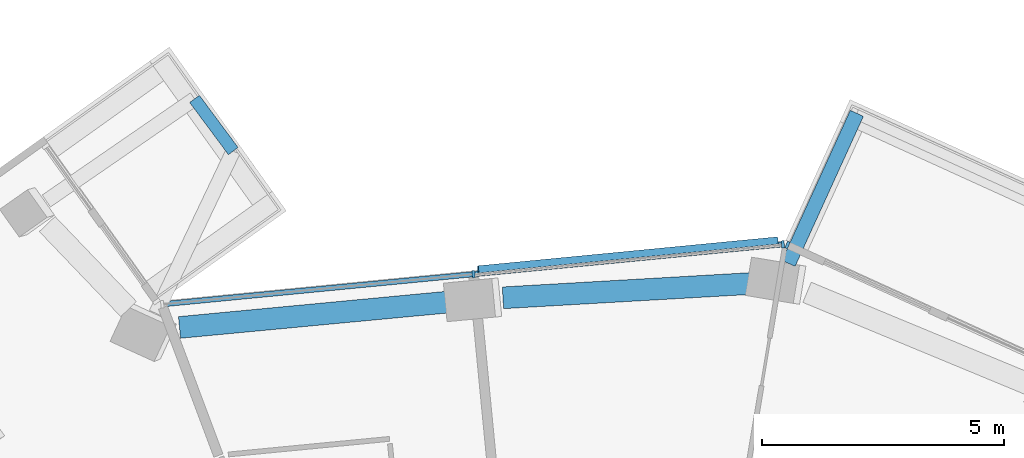
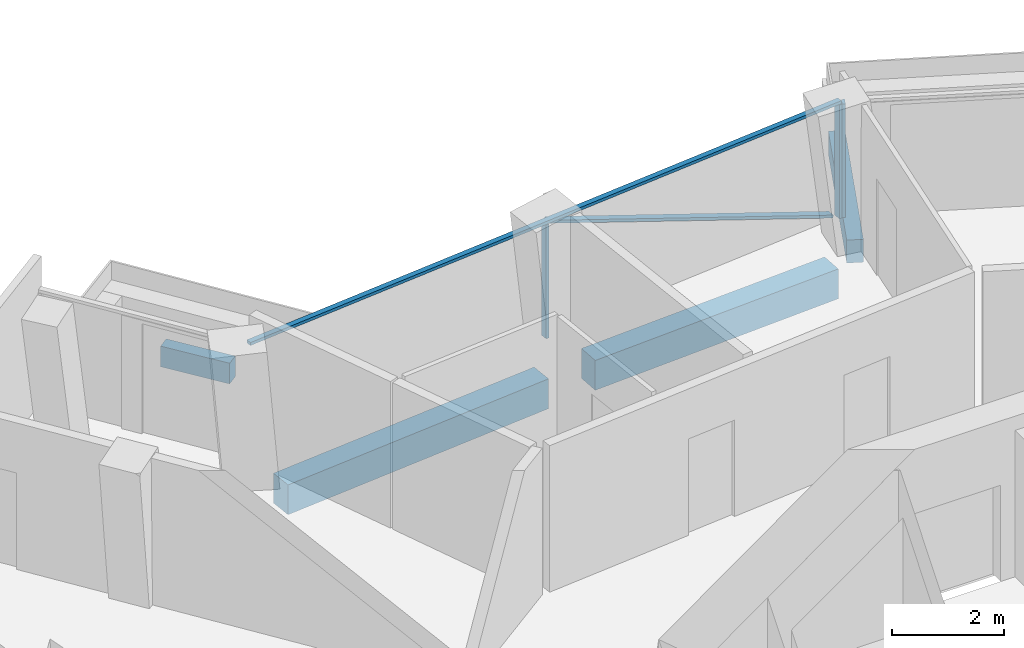
# One storey, part 7 of 22: 5 members, 4 beams, 2 elements without a shape of their own.
"""IFC4 building model written with IfcOpenShell, lengths in metres."""

from ifc_helpers import new_model, si_unit, direction, frame, origin, origin_2d, place, context, subcontext, project, spatial, rectangle, extrude, material, layer, layer_set, material_profile, profile_set, type_object, element, aggregate, save


model = new_model("IFC4")

# Units and contexts
model_context = context("Model", 3, precision=1e-05, world=origin(), true_north=direction((0.0, 1.0)))
body_context = subcontext(model_context, "Body", "Model", "MODEL_VIEW")
ifc_project = project(units=[si_unit("LENGTHUNIT", "METRE"), si_unit("AREAUNIT", "SQUARE_METRE"), si_unit("VOLUMEUNIT", "CUBIC_METRE"), si_unit("PLANEANGLEUNIT", "RADIAN"), si_unit("MASSUNIT", "GRAM", prefix="KILO")], contexts=[model_context])

# Site, building, storey
site_placement = place(None, origin())
site = spatial("IfcSite", under=ifc_project, at=site_placement, CompositionType="ELEMENT")
building_placement = place(site_placement, origin())
building = spatial("IfcBuilding", under=site, at=building_placement, Name="Verdalira Terraces Hotel", CompositionType="ELEMENT")
storey_placement = place(building_placement, frame((0.0, 0.0, 180.0)))
storey = spatial("IfcBuildingStorey", under=building, at=storey_placement, Name="L43", CompositionType="ELEMENT", Elevation=180.0)

# Beams
ifc_material_1 = material(Name="Concrete C40", Category="concrete")
ifc_material_profile_1 = material_profile(ifc_material_1, rectangle(XDim=0.300049, YDim=0.5, at=origin_2d()), Name="RC 300X500")
ifc_profile_set_1 = profile_set([ifc_material_profile_1], Name="Concrete C40")
beam_type_1 = type_object("IfcBeamType", Name="Balcony cantilever beam RC 300X500 C40", PredefinedType="BEAM", material=ifc_profile_set_1)
beam_1_placement = place(storey_placement, frame((4.19043, 24.294434, -0.560059), z_axis=(0.414369023, 0.910108957, 0.0), x_axis=(-0.910108957, 0.414369023, 0.0)))
element("IfcBeam", 1, at=beam_1_placement, inside=storey, type_object=beam_type_1, Name="Balcony cantilever beam R39-5", PredefinedType="BEAM", context=body_context, shape_type="SweptSolid", body=[
    extrude(rectangle(XDim=0.300049, YDim=0.5, at=origin_2d()), origin(), (0.0, 0.0, 1.0), 3.411377),
])
ifc_material_2 = material(Name="Concrete C40", Category="concrete")
ifc_material_profile_2 = material_profile(ifc_material_2, rectangle(XDim=0.25, YDim=0.449951, at=origin_2d()), Name="RC 250X450")
ifc_profile_set_2 = profile_set([ifc_material_profile_2], Name="Concrete C40")
beam_type_2 = type_object("IfcBeamType", Name="Balcony edge beam RC 250X450 C40", PredefinedType="BEAM", material=ifc_profile_set_2)
beam_2_placement = place(storey_placement, frame((-7.297607, 26.618164, -0.534912), z_axis=(-0.59606984, 0.802932591, 0.0), x_axis=(-0.802932591, -0.59606984, 0.0)))
element("IfcBeam", 2, at=beam_2_placement, inside=storey, type_object=beam_type_2, Name="Balcony edge beam R00-1", PredefinedType="BEAM", context=body_context, shape_type="SweptSolid", body=[
    extrude(rectangle(XDim=0.25, YDim=0.449951, at=origin_2d()), origin(), (0.0, 0.0, 1.0), 1.344238),
])

# Curtain wall, member
ifc_material_3 = material(Name="Clear glass", Category="glass")
ifc_layer = layer(ifc_material_3, 0.14990234375)
ifc_layer_set = layer_set([ifc_layer], Name="CW1 curtain wall")
curtain_wall_type = type_object("IfcCurtainWallType", Name="CW1 curtain wall", PredefinedType="NOTDEFINED", material=ifc_layer_set)
curtain_wall_1_placement = place(storey_placement, origin())
curtain_wall_1 = element("IfcCurtainWall", 3, at=curtain_wall_1_placement, inside=storey, type_object=curtain_wall_type, Name="CW1 curtain wall L43 edge 40", PredefinedType="NOTDEFINED")
ifc_material_4 = material(Name="Terracotta frame", Category="masonry")
ifc_material_profile_3 = material_profile(ifc_material_4, rectangle(XDim=0.060059, YDim=0.149902, at=origin_2d()), Name="MU 60x150")
ifc_profile_set_3 = profile_set([ifc_material_profile_3], Name="Terracotta frame")
member_type_1 = type_object("IfcMemberType", Name="CW1 mullion 60x150", PredefinedType="MULLION", material=ifc_profile_set_3)
member_1_placement = place(storey_placement, frame((4.169189, 24.673828, 0.0), z_axis=(0.0, 0.0, 1.0), x_axis=(-0.910105971, 0.414375581, 0.0)))
member_1 = element("IfcMember", 4, at=member_1_placement, type_object=member_type_1, Name="CW1 mullion", PredefinedType="MULLION", context=body_context, shape_type="SweptSolid", body=[
    extrude(rectangle(XDim=0.060059, YDim=0.149902, at=origin_2d()), origin(), (0.0, 0.0, 1.0), 2.475098),
])
aggregate(curtain_wall_1, [member_1])

# Curtain wall, members
curtain_wall_2_placement = place(storey_placement, origin())
curtain_wall_2 = element("IfcCurtainWall", 5, at=curtain_wall_2_placement, inside=storey, type_object=curtain_wall_type, Name="CW1 curtain wall L43 edge 41", PredefinedType="NOTDEFINED")
member_2_placement = place(storey_placement, frame((4.07373, 24.689697, 0.0), z_axis=(0.0, 0.0, 1.0), x_axis=(-0.995362681, -0.096193205, 0.0)))
member_2 = element("IfcMember", 6, at=member_2_placement, type_object=member_type_1, Name="CW1 mullion", PredefinedType="MULLION", context=body_context, shape_type="SweptSolid", body=[
    extrude(rectangle(XDim=0.060059, YDim=0.149902, at=origin_2d()), origin(), (0.0, 0.0, 1.0), 2.475098),
])
member_3_placement = place(storey_placement, frame((-2.326172, 24.071289, 0.0), z_axis=(0.0, 0.0, 1.0), x_axis=(-0.995362681, -0.096193205, 0.0)))
member_3 = element("IfcMember", 7, at=member_3_placement, type_object=member_type_1, Name="CW1 mullion", PredefinedType="MULLION", context=body_context, shape_type="SweptSolid", body=[
    extrude(rectangle(XDim=0.060059, YDim=0.149902, at=origin_2d()), origin(), (0.0, 0.0, 1.0), 2.475098),
])
ifc_material_5 = material(Name="Terracotta frame", Category="masonry")
ifc_material_profile_4 = material_profile(ifc_material_5, rectangle(XDim=0.110107, YDim=0.064941, at=origin_2d()), Name="TR 65x110")
ifc_profile_set_4 = profile_set([ifc_material_profile_4], Name="Terracotta frame")
member_type_2 = type_object("IfcMemberType", Name="CW1 transom 65x110", PredefinedType="USERDEFINED", material=ifc_profile_set_4)
member_4_placement = place(storey_placement, frame((4.103516, 24.692627, 2.507568), z_axis=(-0.995363114, -0.096188732, 0.0), x_axis=(0.096188732, -0.995363114, 0.0)))
member_4 = element("IfcMember", 8, at=member_4_placement, type_object=member_type_2, Name="CW1 transom", ObjectType="TRANSOM", PredefinedType="USERDEFINED", context=body_context, shape_type="SweptSolid", body=[
    extrude(rectangle(XDim=0.110107, YDim=0.064941, at=origin_2d()), origin(), (0.0, 0.0, 1.0), 12.959717),
])
ifc_material_6 = material(Name="Terracotta frame", Category="masonry")
ifc_material_profile_5 = material_profile(ifc_material_6, rectangle(XDim=0.149902, YDim=0.060059, at=origin_2d()), Name="GB 60x150")
ifc_profile_set_5 = profile_set([ifc_material_profile_5], Name="Terracotta frame")
member_type_3 = type_object("IfcMemberType", Name="Diagonal glazing bar 60x150", PredefinedType="USERDEFINED", material=ifc_profile_set_5)
member_5_placement = place(storey_placement, frame((3.961914, 24.768311, 0.028809), z_axis=(-0.927795705, -0.08967814, 0.362150468), x_axis=(0.09620883, -0.995361171, 0.0)))
member_5 = element("IfcMember", 9, at=member_5_placement, type_object=member_type_3, Name="Diagonal glazing bar", ObjectType="GLAZING BAR", PredefinedType="USERDEFINED", context=body_context, shape_type="SweptSolid", body=[
    extrude(rectangle(XDim=0.149902, YDim=0.060059, at=origin_2d()), origin(), (0.0, 0.0, 1.0), 6.675293),
])
aggregate(curtain_wall_2, [member_2, member_3, member_4, member_5])

# Beams
ifc_material_7 = material(Name="Concrete C50", Category="concrete")
ifc_material_profile_6 = material_profile(ifc_material_7, rectangle(XDim=0.449951, YDim=0.649902, at=origin_2d()), Name="RC 450X650")
ifc_profile_set_6 = profile_set([ifc_material_profile_6], Name="Concrete C50")
beam_type_3 = type_object("IfcBeamType", Name="Spandrel beam RC 450X650 C50", PredefinedType="SPANDREL", material=ifc_profile_set_6)
beam_3_placement = place(storey_placement, frame((3.46582, 23.881104, -0.63501), z_axis=(-0.998342436, -0.057553275, 0.0), x_axis=(0.057553275, -0.998342436, 0.0)))
element("IfcBeam", 10, at=beam_3_placement, inside=storey, type_object=beam_type_3, Name="Spandrel beam B22", PredefinedType="SPANDREL", context=body_context, shape_type="SweptSolid", body=[
    extrude(rectangle(XDim=0.449951, YDim=0.649902, at=origin_2d()), origin(), (0.0, 0.0, 1.0), 5.192139),
])
beam_4_placement = place(storey_placement, frame((-2.729248, 23.505615, -0.63501), z_axis=(-0.995563863, -0.09408823, 0.0), x_axis=(0.09408823, -0.995563863, 0.0)))
element("IfcBeam", 11, at=beam_4_placement, inside=storey, type_object=beam_type_3, Name="Spandrel beam B23", PredefinedType="SPANDREL", context=body_context, shape_type="SweptSolid", body=[
    extrude(rectangle(XDim=0.449951, YDim=0.649902, at=origin_2d()), origin(), (0.0, 0.0, 1.0), 5.706055),
])

save(model, "model.ifc")
